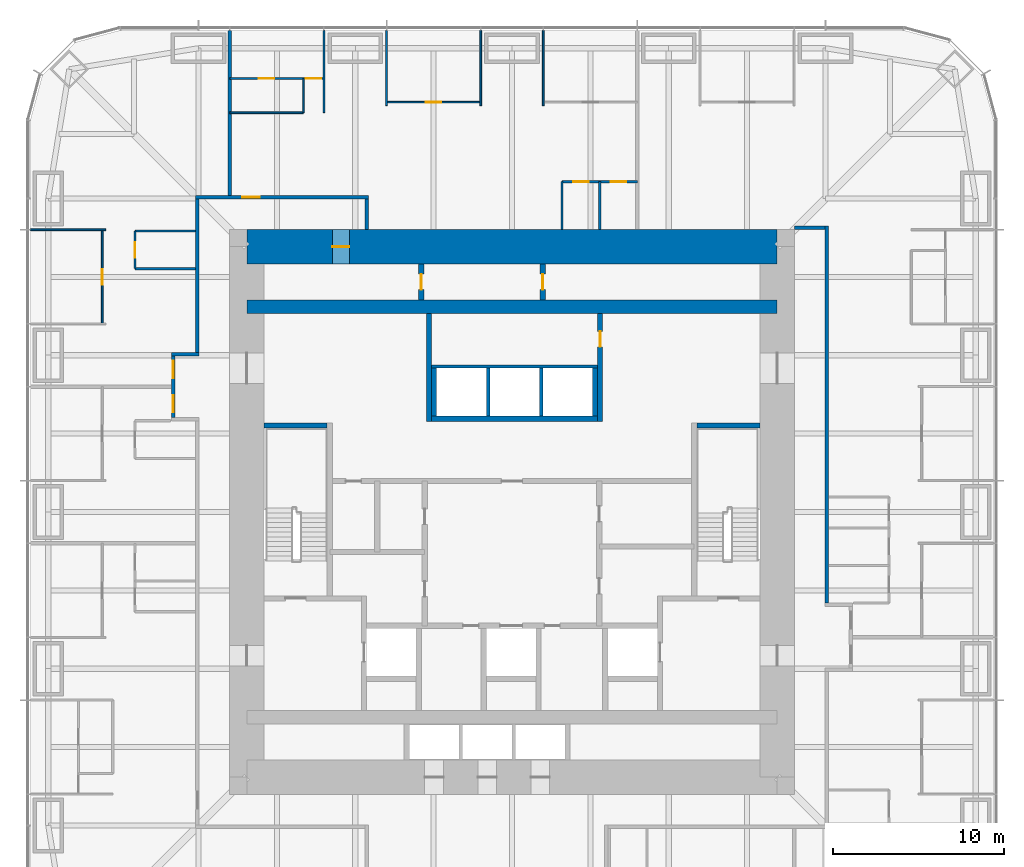
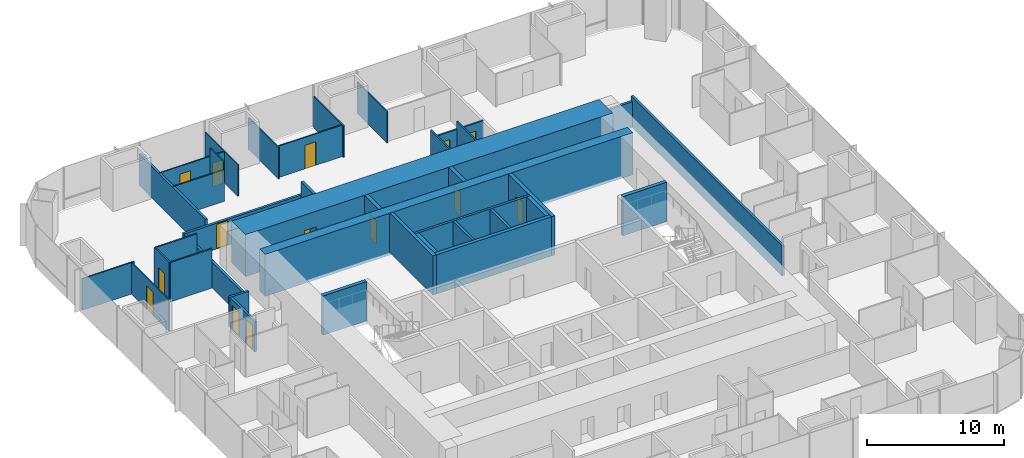
# One storey, part 10 of 12: 38 walls, 14 doors, 14 openings.
"""IFC4 building model written with IfcOpenShell, lengths in metres."""

from ifc_helpers import new_model, si_unit, direction, frame, frame_2d, origin, place, context, subcontext, project, spatial, rectangle, extrude, material, layer, layer_set, type_object, element, fill, save


model = new_model("IFC4")

# Units and contexts
model_context = context("Model", 3, precision=1e-05, world=origin(), true_north=direction((0.0, 1.0)))
body_context = subcontext(model_context, "Body", "Model", "MODEL_VIEW")
ifc_project = project(units=[si_unit("LENGTHUNIT", "METRE"), si_unit("AREAUNIT", "SQUARE_METRE"), si_unit("VOLUMEUNIT", "CUBIC_METRE"), si_unit("PLANEANGLEUNIT", "RADIAN"), si_unit("MASSUNIT", "GRAM", prefix="KILO")], contexts=[model_context])

# Site, building, storey
site_placement = place(None, origin())
site = spatial("IfcSite", under=ifc_project, at=site_placement, CompositionType="ELEMENT")
building_placement = place(site_placement, origin())
building = spatial("IfcBuilding", under=site, at=building_placement, Name="Khuree Lantern Residences", CompositionType="ELEMENT")
storey_placement = place(building_placement, frame((0.0, 0.0, 178.5)))
storey = spatial("IfcBuildingStorey", under=building, at=storey_placement, Name="L45", CompositionType="ELEMENT", Elevation=178.5)

# Wall, openings, doors
ifc_material_1 = material(Name="Moisture-resistant gypsum board on steel studs", Category="steel")
ifc_layer_1 = layer(ifc_material_1, 0.125)
ifc_layer_set_1 = layer_set([ifc_layer_1], Name="BATHROOM WALL BTW125")
wall_type_1 = type_object("IfcWallType", Name="BATHROOM WALL BTW125", PredefinedType="PARTITIONING", material=ifc_layer_set_1)
wall_1_placement = place(storey_placement, frame((7.327880859375, 19.300048828125, 0.0), z_axis=(0.0, 0.0, 1.0), x_axis=(-1.0, 0.0, 0.0)))
wall_1 = element("IfcWall", 1, at=wall_1_placement, inside=storey, type_object=wall_type_1, Name="L45 BATHROOM WALL 02", PredefinedType="PARTITIONING", context=body_context, shape_type="SweptSolid", body=[
    extrude(rectangle(XDim=4.39990234375, YDim=0.125, at=frame_2d((2.199951171875, 0.0))), origin(), (0.0, 0.0, 1.0), 2.81005859375),
])
opening_1_placement = place(wall_1_placement, frame((0.64990234375, 0.0, 0.0)))
opening_1 = element("IfcOpeningElement", 2, at=opening_1_placement, cuts=wall_1, Name="Opening 45-038", PredefinedType="OPENING", context=body_context, shape_type="SweptSolid", body=[
    extrude(rectangle(XDim=0.89990234375, YDim=2.10009765625, at=frame_2d((0.449951171875, 1.050048828125))), frame((0.0, 0.072509765625, 0.0), z_axis=(0.0, -1.0, 0.0), x_axis=(1.0, 0.0, 0.0)), (0.0, 0.0, 1.0), 0.14501953125),
])
opening_2_placement = place(wall_1_placement, frame((2.85009765625, 0.0, 0.0)))
opening_2 = element("IfcOpeningElement", 3, at=opening_2_placement, cuts=wall_1, Name="Opening 45-039", PredefinedType="OPENING", context=body_context, shape_type="SweptSolid", body=[
    extrude(rectangle(XDim=0.89990234375, YDim=2.10009765625, at=frame_2d((0.449951171875, 1.050048828125))), frame((0.0, 0.072509765625, 0.0), z_axis=(0.0, -1.0, 0.0), x_axis=(1.0, 0.0, 0.0)), (0.0, 0.0, 1.0), 0.14501953125),
])
ifc_material_2 = material(Name="Timber door leaf in hardwood frame", Category="wood")
door_type_1 = type_object("IfcDoorType", Name="BATHROOM DOOR 900X2100", OperationType="SINGLE_SWING_LEFT", PredefinedType="DOOR", material=ifc_material_2)
door_1_placement = place(opening_1_placement, origin())
door_1 = element("IfcDoor", 4, at=door_1_placement, inside=storey, type_object=door_type_1, Name="Bathroom door 45-038", OperationType="SINGLE_SWING_LEFT", OverallHeight=2.10009765625, OverallWidth=0.89990234375, PredefinedType="DOOR", context=body_context, shape_type="SweptSolid", body=[
    extrude(rectangle(XDim=0.89990234375, YDim=2.10009765625, at=frame_2d((0.449951171875, 1.050048828125))), frame((0.0, 0.02490234375, 0.0), z_axis=(0.0, -1.0, 0.0), x_axis=(1.0, 0.0, 0.0)), (0.0, 0.0, 1.0), 0.050048828125),
])
fill(opening_1, door_1)
door_2_placement = place(opening_2_placement, origin())
door_2 = element("IfcDoor", 5, at=door_2_placement, inside=storey, type_object=door_type_1, Name="Bathroom door 45-039", OperationType="SINGLE_SWING_LEFT", OverallHeight=2.10009765625, OverallWidth=0.89990234375, PredefinedType="DOOR", context=body_context, shape_type="SweptSolid", body=[
    extrude(rectangle(XDim=0.89990234375, YDim=2.10009765625, at=frame_2d((0.449951171875, 1.050048828125))), frame((0.0, 0.02490234375, 0.0), z_axis=(0.0, -1.0, 0.0), x_axis=(1.0, 0.0, 0.0)), (0.0, 0.0, 1.0), 0.050048828125),
])
fill(opening_2, door_2)

# Walls
for number, where, z_axis, x_axis, name in (
    (6, (5.1279296875, 16.5, 0.0), (0.0, 0.0, 1.0), (0.0, 1.0, 0.0), "L45 BATHROOM WALL 02"),
    (7, (2.927978515625, 16.5, 0.0), (0.0, 0.0, 1.0), (0.0, 1.0, 0.0), "L45 BATHROOM WALL 02"),
):
    element("IfcWall", number, at=place(storey_placement, frame(where, z_axis=z_axis, x_axis=x_axis)), inside=storey, type_object=wall_type_1, Name=name, PredefinedType="PARTITIONING", context=body_context, shape_type="SweptSolid", body=[
        extrude(rectangle(XDim=2.800048828125, YDim=0.125, at=frame_2d((1.39990234375, 0.0))), origin(), (0.0, 0.0, 1.0), 3.5),
    ])

# Wall, opening, door
wall_2_placement = place(storey_placement, frame((-22.02978515625, 16.41650390625, 0.0), z_axis=(0.0, 0.0, 1.0), x_axis=(0.0, -1.0, 0.0)))
wall_2 = element("IfcWall", 8, at=wall_2_placement, inside=storey, type_object=wall_type_1, Name="L45 BATHROOM WALL 03", PredefinedType="PARTITIONING", context=body_context, shape_type="SweptSolid", body=[
    extrude(rectangle(XDim=2.199951171875, YDim=0.125, at=frame_2d((1.10009765625, 0.0))), origin(), (0.0, 0.0, 1.0), 3.5),
])
opening_3_placement = place(wall_2_placement, frame((0.64990234375, 0.0, 0.0)))
opening_3 = element("IfcOpeningElement", 9, at=opening_3_placement, cuts=wall_2, Name="Opening 45-042", PredefinedType="OPENING", context=body_context, shape_type="SweptSolid", body=[
    extrude(rectangle(XDim=0.89990234375, YDim=2.10009765625, at=frame_2d((0.449951171875, 1.050048828125))), frame((0.0, 0.072509765625, 0.0), z_axis=(0.0, -1.0, 0.0), x_axis=(1.0, 0.0, 0.0)), (0.0, 0.0, 1.0), 0.14501953125),
])
door_3_placement = place(opening_3_placement, origin())
door_3 = element("IfcDoor", 10, at=door_3_placement, inside=storey, type_object=door_type_1, Name="Bathroom door 45-042", OperationType="SINGLE_SWING_LEFT", OverallHeight=2.10009765625, OverallWidth=0.89990234375, PredefinedType="DOOR", context=body_context, shape_type="SweptSolid", body=[
    extrude(rectangle(XDim=0.89990234375, YDim=2.10009765625, at=frame_2d((0.449951171875, 1.050048828125))), frame((0.0, 0.02490234375, 0.0), z_axis=(0.0, -1.0, 0.0), x_axis=(1.0, 0.0, 0.0)), (0.0, 0.0, 1.0), 0.050048828125),
])
fill(opening_3, door_3)

# Walls
for number, where, z_axis, x_axis, name in (
    (11, (-18.5, 16.41650390625, 0.0), (0.0, 0.0, 1.0), (-1.0, 0.0, 0.0), "L45 BATHROOM WALL 03"),
    (12, (-18.5, 14.216552734375, 0.0), (0.0, 0.0, 1.0), (-1.0, 0.0, 0.0), "L45 BATHROOM WALL 03"),
):
    element("IfcWall", number, at=place(storey_placement, frame(where, z_axis=z_axis, x_axis=x_axis)), inside=storey, type_object=wall_type_1, Name=name, PredefinedType="PARTITIONING", context=body_context, shape_type="SweptSolid", body=[
        extrude(rectangle(XDim=3.52978515625, YDim=0.125, at=frame_2d((1.764892578125, 0.0))), origin(), (0.0, 0.0, 1.0), 3.5),
    ])
ifc_material_3 = material(Name="Dense concrete blockwork", Category="masonry")
ifc_layer_2 = layer(ifc_material_3, 0.300048828125)
ifc_layer_set_2 = layer_set([ifc_layer_2], Name="CORE PARTITION WALL CPW300 EI 120")
wall_type_2 = type_object("IfcWallType", Name="CORE PARTITION WALL CPW300 EI 120", PredefinedType="PARTITIONING", material=ifc_layer_set_2)
wall_3_placement = place(storey_placement, frame((-4.699951171875, 5.449951171875, 0.0), z_axis=(0.0, 0.0, 1.0), x_axis=(1.0, 0.0, 0.0)))
element("IfcWall", 13, at=wall_3_placement, inside=storey, type_object=wall_type_2, Name="L45 CORE WALL PHS", PredefinedType="PARTITIONING", context=body_context, shape_type="SweptSolid", body=[
    extrude(rectangle(XDim=9.699951171875, YDim=0.300048828125, at=frame_2d((4.85009765625, 0.0))), origin(), (0.0, 0.0, 1.0), 3.5),
])
for number, where, z_axis, x_axis, name in (
    (14, (-4.550048828125, 5.60009765625, 0.0), (0.0, 0.0, 1.0), (0.0, 1.0, 0.0), "L45 CORE WALL PHW"),
    (15, (4.85009765625, 5.60009765625, 0.0), (0.0, 0.0, 1.0), (0.0, 1.0, 0.0), "L45 CORE WALL PHE"),
):
    element("IfcWall", number, at=place(storey_placement, frame(where, z_axis=z_axis, x_axis=x_axis)), inside=storey, type_object=wall_type_2, Name=name, PredefinedType="PARTITIONING", context=body_context, shape_type="SweptSolid", body=[
        extrude(rectangle(XDim=2.7998046875, YDim=0.300048828125, at=frame_2d((1.39990234375, 0.0))), origin(), (0.0, 0.0, 1.0), 3.5),
    ])
wall_4_placement = place(storey_placement, frame((-4.85009765625, 5.300048828125, 0.0), z_axis=(0.0, 0.0, 1.0), x_axis=(0.0, 1.0, 0.0)))
element("IfcWall", 16, at=wall_4_placement, inside=storey, type_object=wall_type_2, Name="L45 CORE WALL NW", PredefinedType="PARTITIONING", context=body_context, shape_type="SweptSolid", body=[
    extrude(rectangle(XDim=6.300048828125, YDim=0.300048828125, at=frame_2d((3.14990234375, 0.0))), origin(), (0.0, 0.0, 1.0), 3.5),
])

# Wall, opening, door
wall_5_placement = place(storey_placement, frame((5.14990234375, 5.300048828125, 0.0), z_axis=(0.0, 0.0, 1.0), x_axis=(0.0, 1.0, 0.0)))
wall_5 = element("IfcWall", 17, at=wall_5_placement, inside=storey, type_object=wall_type_2, Name="L45 CORE WALL NE", PredefinedType="PARTITIONING", context=body_context, shape_type="SweptSolid", body=[
    extrude(rectangle(XDim=6.300048828125, YDim=0.300048828125, at=frame_2d((3.14990234375, 0.0))), origin(), (0.0, 0.0, 1.0), 3.5),
])
opening_4_placement = place(wall_5_placement, frame((4.35009765625, 0.0, 0.0)))
opening_4 = element("IfcOpeningElement", 18, at=opening_4_placement, cuts=wall_5, Name="Opening 45-021", PredefinedType="OPENING", context=body_context, shape_type="SweptSolid", body=[
    extrude(rectangle(XDim=0.89990234375, YDim=2.10009765625, at=frame_2d((0.449951171875, 1.050048828125))), frame((0.0, 0.16015625, 0.0), z_axis=(0.0, -1.0, 0.0), x_axis=(1.0, 0.0, 0.0)), (0.0, 0.0, 1.0), 0.320068359375),
])
door_type_2 = type_object("IfcDoorType", Name="DOOR 900X2100", OperationType="SINGLE_SWING_LEFT", PredefinedType="DOOR", material=ifc_material_2)
door_4_placement = place(opening_4_placement, origin())
door_4 = element("IfcDoor", 19, at=door_4_placement, inside=storey, type_object=door_type_2, Name="Residents' store door 45-021", OperationType="SINGLE_SWING_LEFT", OverallHeight=2.10009765625, OverallWidth=0.89990234375, PredefinedType="DOOR", context=body_context, shape_type="SweptSolid", body=[
    extrude(rectangle(XDim=0.89990234375, YDim=2.10009765625, at=frame_2d((0.449951171875, 1.050048828125))), frame((0.0, 0.02490234375, 0.0), z_axis=(0.0, -1.0, 0.0), x_axis=(1.0, 0.0, 0.0)), (0.0, 0.0, 1.0), 0.050048828125),
])
fill(opening_4, door_4)

wall_6_placement = place(storey_placement, frame((-5.300048828125, 12.39990234375, 0.0), z_axis=(0.0, 0.0, 1.0), x_axis=(0.0, 1.0, 0.0)))
wall_6 = element("IfcWall", 20, at=wall_6_placement, inside=storey, type_object=wall_type_2, Name="L45 CORE WALL PLX", PredefinedType="PARTITIONING", context=body_context, shape_type="SweptSolid", body=[
    extrude(rectangle(XDim=2.10009765625, YDim=0.300048828125, at=frame_2d((1.050048828125, 0.0))), origin(), (0.0, 0.0, 1.0), 3.5),
])
opening_5_placement = place(wall_6_placement, frame((0.60009765625, 0.0, 0.0)))
opening_5 = element("IfcOpeningElement", 21, at=opening_5_placement, cuts=wall_6, Name="Opening 45-022", PredefinedType="OPENING", context=body_context, shape_type="SweptSolid", body=[
    extrude(rectangle(XDim=0.89990234375, YDim=2.10009765625, at=frame_2d((0.449951171875, 1.050048828125))), frame((0.0, 0.16015625, 0.0), z_axis=(0.0, -1.0, 0.0), x_axis=(1.0, 0.0, 0.0)), (0.0, 0.0, 1.0), 0.320068359375),
])
door_5_placement = place(opening_5_placement, origin())
door_5 = element("IfcDoor", 22, at=door_5_placement, inside=storey, type_object=door_type_2, Name="Housekeeping store door 45-022", OperationType="SINGLE_SWING_LEFT", OverallHeight=2.10009765625, OverallWidth=0.89990234375, PredefinedType="DOOR", context=body_context, shape_type="SweptSolid", body=[
    extrude(rectangle(XDim=0.89990234375, YDim=2.10009765625, at=frame_2d((0.449951171875, 1.050048828125))), frame((0.0, 0.02490234375, 0.0), z_axis=(0.0, -1.0, 0.0), x_axis=(1.0, 0.0, 0.0)), (0.0, 0.0, 1.0), 0.050048828125),
])
fill(opening_5, door_5)

wall_7_placement = place(storey_placement, frame((1.800048828125, 12.39990234375, 0.0), z_axis=(0.0, 0.0, 1.0), x_axis=(0.0, 1.0, 0.0)))
wall_7 = element("IfcWall", 23, at=wall_7_placement, inside=storey, type_object=wall_type_2, Name="L45 CORE WALL PLY", PredefinedType="PARTITIONING", context=body_context, shape_type="SweptSolid", body=[
    extrude(rectangle(XDim=2.10009765625, YDim=0.300048828125, at=frame_2d((1.050048828125, 0.0))), origin(), (0.0, 0.0, 1.0), 3.5),
])
opening_6_placement = place(wall_7_placement, frame((0.60009765625, 0.0, 0.0)))
opening_6 = element("IfcOpeningElement", 24, at=opening_6_placement, cuts=wall_7, Name="Opening 45-023", PredefinedType="OPENING", context=body_context, shape_type="SweptSolid", body=[
    extrude(rectangle(XDim=0.89990234375, YDim=2.10009765625, at=frame_2d((0.449951171875, 1.050048828125))), frame((0.0, 0.16015625, 0.0), z_axis=(0.0, -1.0, 0.0), x_axis=(1.0, 0.0, 0.0)), (0.0, 0.0, 1.0), 0.320068359375),
])
door_6_placement = place(opening_6_placement, origin())
door_6 = element("IfcDoor", 25, at=door_6_placement, inside=storey, type_object=door_type_2, Name="Store door 45-023", OperationType="SINGLE_SWING_LEFT", OverallHeight=2.10009765625, OverallWidth=0.89990234375, PredefinedType="DOOR", context=body_context, shape_type="SweptSolid", body=[
    extrude(rectangle(XDim=0.89990234375, YDim=2.10009765625, at=frame_2d((0.449951171875, 1.050048828125))), frame((0.0, 0.02490234375, 0.0), z_axis=(0.0, -1.0, 0.0), x_axis=(1.0, 0.0, 0.0)), (0.0, 0.0, 1.0), 0.050048828125),
])
fill(opening_6, door_6)

# Wall
ifc_material_4 = material(Name="Gypsum board on steel studs", Category="steel")
ifc_layer_3 = layer(ifc_material_4, 0.199951171875)
ifc_layer_set_3 = layer_set([ifc_layer_3], Name="CORRIDOR WALL CRW200 EI 60")
wall_type_3 = type_object("IfcWallType", Name="CORRIDOR WALL CRW200 EI 60", PredefinedType="PARTITIONING", material=ifc_layer_set_3)
wall_8_placement = place(storey_placement, frame((16.5, 16.60009765625, 0.0), z_axis=(0.0, 0.0, 1.0), x_axis=(1.0, 0.0, 0.0)))
element("IfcWall", 26, at=wall_8_placement, inside=storey, type_object=wall_type_3, Name="L45 EAST CORRIDOR NORTH END WALL", PredefinedType="PARTITIONING", context=body_context, shape_type="SweptSolid", body=[
    extrude(rectangle(XDim=1.800048828125, YDim=0.199951171875, at=frame_2d((0.89990234375, 0.0))), origin(), (0.0, 0.0, 1.0), 2.300048828125),
])

# Wall, opening, door
wall_9_placement = place(storey_placement, frame((-18.5, 18.39990234375, 0.0), z_axis=(0.0, 0.0, 1.0), x_axis=(1.0, 0.0, 0.0)))
wall_9 = element("IfcWall", 27, at=wall_9_placement, inside=storey, type_object=wall_type_3, Name="L45 CORRIDOR WALL NORTH", PredefinedType="PARTITIONING", context=body_context, shape_type="SweptSolid", body=[
    extrude(rectangle(XDim=10.10009765625, YDim=0.199951171875, at=frame_2d((5.050048828125, 0.0))), origin(), (0.0, 0.0, 1.0), 2.300048828125),
])
opening_7_placement = place(wall_9_placement, frame((2.75, 0.0, 0.0)))
opening_7 = element("IfcOpeningElement", 28, at=opening_7_placement, cuts=wall_9, Name="Opening 45-040", PredefinedType="OPENING", context=body_context, shape_type="SweptSolid", body=[
    extrude(rectangle(XDim=1.0, YDim=2.199951171875, at=frame_2d((0.5, 1.10009765625))), frame((0.0, 0.10986328125, 0.0), z_axis=(0.0, -1.0, 0.0), x_axis=(1.0, 0.0, 0.0)), (0.0, 0.0, 1.0), 0.219970703125),
])
door_type_3 = type_object("IfcDoorType", Name="APARTMENT ENTRANCE DOOR 1000X2200 EI 30S", OperationType="SINGLE_SWING_LEFT", PredefinedType="DOOR", material=ifc_material_2)
door_7_placement = place(opening_7_placement, origin())
door_7 = element("IfcDoor", 29, at=door_7_placement, inside=storey, type_object=door_type_3, Name="Apartment 02 entrance door 45-040", OperationType="SINGLE_SWING_LEFT", OverallHeight=2.199951171875, OverallWidth=1.0, PredefinedType="DOOR", context=body_context, shape_type="SweptSolid", body=[
    extrude(rectangle(XDim=1.0, YDim=2.199951171875, at=frame_2d((0.5, 1.10009765625))), frame((0.0, 0.02490234375, 0.0), z_axis=(0.0, -1.0, 0.0), x_axis=(1.0, 0.0, 0.0)), (0.0, 0.0, 1.0), 0.050048828125),
])
fill(opening_7, door_7)

# Walls
wall_10_placement = place(storey_placement, frame((-8.5, 18.300048828125, 0.0), z_axis=(0.0, 0.0, 1.0), x_axis=(0.0, -1.0, 0.0)))
element("IfcWall", 30, at=wall_10_placement, inside=storey, type_object=wall_type_3, Name="L45 NORTH CORRIDOR END WALL", PredefinedType="PARTITIONING", context=body_context, shape_type="SweptSolid", body=[
    extrude(rectangle(XDim=1.800048828125, YDim=0.199951171875, at=frame_2d((0.89990234375, 0.0))), origin(), (0.0, 0.0, 1.0), 3.5),
])
wall_11_placement = place(storey_placement, frame((18.39990234375, -5.327880859375, 0.0), z_axis=(0.0, 0.0, 1.0), x_axis=(0.0, 1.0, 0.0)))
element("IfcWall", 31, at=wall_11_placement, inside=storey, type_object=wall_type_3, Name="L45 CORRIDOR WALL EAST 2", PredefinedType="PARTITIONING", context=body_context, shape_type="SweptSolid", body=[
    extrude(rectangle(XDim=22.02783203125, YDim=0.199951171875, at=frame_2d((11.013916015625, 0.0))), origin(), (0.0, 0.0, 1.0), 2.699951171875),
])
wall_12_placement = place(storey_placement, frame((-18.39990234375, 18.300048828125, 0.0), z_axis=(0.0, 0.0, 1.0), x_axis=(0.0, -1.0, 0.0)))
element("IfcWall", 32, at=wall_12_placement, inside=storey, type_object=wall_type_3, Name="L45 CORRIDOR WALL WEST 1", PredefinedType="PARTITIONING", context=body_context, shape_type="SweptSolid", body=[
    extrude(rectangle(XDim=8.97216796875, YDim=0.199951171875, at=frame_2d((4.486083984375, 0.0))), origin(), (0.0, 0.0, 1.0), 2.300048828125),
])
wall_13_placement = place(storey_placement, frame((-18.300048828125, 9.22802734375, 0.0), z_axis=(0.0, 0.0, 1.0), x_axis=(-1.0, 0.0, 0.0)))
element("IfcWall", 33, at=wall_13_placement, inside=storey, type_object=wall_type_3, Name="L45 CORRIDOR ALCOVE WALL WEST", PredefinedType="PARTITIONING", context=body_context, shape_type="SweptSolid", body=[
    extrude(rectangle(XDim=1.599853515625, YDim=0.199951171875, at=frame_2d((0.7998046875, 0.0))), origin(), (0.0, 0.0, 1.0), 2.699951171875),
])

# Wall, openings, doors
wall_14_placement = place(storey_placement, frame((-19.800048828125, 9.1279296875, 0.0), z_axis=(0.0, 0.0, 1.0), x_axis=(0.0, -1.0, 0.0)))
wall_14 = element("IfcWall", 34, at=wall_14_placement, inside=storey, type_object=wall_type_3, Name="L45 CORRIDOR ALCOVE WALL WEST", PredefinedType="PARTITIONING", context=body_context, shape_type="SweptSolid", body=[
    extrude(rectangle(XDim=3.599853515625, YDim=0.199951171875, at=frame_2d((1.7998046875, 0.0))), origin(), (0.0, 0.0, 1.0), 2.699951171875),
])
opening_8_placement = place(wall_14_placement, frame((0.300048828125, 0.0, 0.0)))
opening_8 = element("IfcOpeningElement", 35, at=opening_8_placement, cuts=wall_14, Name="Opening 45-043", PredefinedType="OPENING", context=body_context, shape_type="SweptSolid", body=[
    extrude(rectangle(XDim=1.0, YDim=2.199951171875, at=frame_2d((0.5, 1.10009765625))), frame((0.0, 0.10986328125, 0.0), z_axis=(0.0, -1.0, 0.0), x_axis=(1.0, 0.0, 0.0)), (0.0, 0.0, 1.0), 0.219970703125),
])
opening_9_placement = place(wall_14_placement, frame((2.300048828125, 0.0, 0.0)))
opening_9 = element("IfcOpeningElement", 36, at=opening_9_placement, cuts=wall_14, Name="Opening 45-046", PredefinedType="OPENING", context=body_context, shape_type="SweptSolid", body=[
    extrude(rectangle(XDim=1.0, YDim=2.199951171875, at=frame_2d((0.5, 1.10009765625))), frame((0.0, 0.10986328125, 0.0), z_axis=(0.0, -1.0, 0.0), x_axis=(1.0, 0.0, 0.0)), (0.0, 0.0, 1.0), 0.219970703125),
])
door_8_placement = place(opening_8_placement, origin())
door_8 = element("IfcDoor", 37, at=door_8_placement, inside=storey, type_object=door_type_3, Name="Apartment 03 entrance door 45-043", OperationType="SINGLE_SWING_LEFT", OverallHeight=2.199951171875, OverallWidth=1.0, PredefinedType="DOOR", context=body_context, shape_type="SweptSolid", body=[
    extrude(rectangle(XDim=1.0, YDim=2.199951171875, at=frame_2d((0.5, 1.10009765625))), frame((0.0, 0.02490234375, 0.0), z_axis=(0.0, -1.0, 0.0), x_axis=(1.0, 0.0, 0.0)), (0.0, 0.0, 1.0), 0.050048828125),
])
fill(opening_8, door_8)
door_type_4 = type_object("IfcDoorType", Name="APARTMENT ENTRANCE DOOR 1000X2200 EI 30S RIGHT HAND", OperationType="SINGLE_SWING_RIGHT", PredefinedType="DOOR", material=ifc_material_2)
door_9_placement = place(opening_9_placement, origin())
door_9 = element("IfcDoor", 38, at=door_9_placement, inside=storey, type_object=door_type_4, Name="Apartment 04 entrance door 45-046", OperationType="SINGLE_SWING_RIGHT", OverallHeight=2.199951171875, OverallWidth=1.0, PredefinedType="DOOR", context=body_context, shape_type="SweptSolid", body=[
    extrude(rectangle(XDim=1.0, YDim=2.199951171875, at=frame_2d((0.5, 1.10009765625))), frame((0.0, 0.02490234375, 0.0), z_axis=(0.0, -1.0, 0.0), x_axis=(1.0, 0.0, 0.0)), (0.0, 0.0, 1.0), 0.050048828125),
])
fill(opening_9, door_9)

# Wall, opening, door
ifc_material_5 = material(Name="Concrete C70/85", Category="concrete")
ifc_layer_4 = layer(ifc_material_5, 2.0)
ifc_layer_set_4 = layer_set([ifc_layer_4], Name="CW2000-C70 CORE WALL C70 2000")
wall_type_4 = type_object("IfcWallType", Name="CW2000-C70 CORE WALL C70 2000", PredefinedType="SHEAR", material=ifc_layer_set_4)
wall_15_placement = place(storey_placement, frame((-15.5, 15.5, -0.25), z_axis=(0.0, 0.0, 1.0), x_axis=(1.0, 0.0, 0.0)))
wall_15 = element("IfcWall", 39, at=wall_15_placement, inside=storey, type_object=wall_type_4, Name="Core wall N", PredefinedType="SHEAR", context=body_context, shape_type="SweptSolid", body=[
    extrude(rectangle(XDim=31.0, YDim=2.0, at=frame_2d((15.5, 0.0))), origin(), (0.0, 0.0, 1.0), 3.75),
])
opening_10_placement = place(wall_15_placement, frame((5.0, 0.0, 0.25)))
opening_10 = element("IfcOpeningElement", 40, at=opening_10_placement, cuts=wall_15, Name="Opening 45-024", PredefinedType="OPENING", context=body_context, shape_type="SweptSolid", body=[
    extrude(rectangle(XDim=1.0, YDim=2.10009765625, at=frame_2d((0.5, 1.050048828125))), frame((0.0, 1.010009765625, 0.0), z_axis=(0.0, -1.0, 0.0), x_axis=(1.0, 0.0, 0.0)), (0.0, 0.0, 1.0), 2.02001953125),
])
ifc_material_6 = material(Name="Steel door leaf in steel frame", Category="steel")
door_type_5 = type_object("IfcDoorType", Name="DOOR 1000X2100 EI 60 RIGHT HAND", OperationType="SINGLE_SWING_RIGHT", PredefinedType="DOOR", material=ifc_material_6)
door_10_placement = place(opening_10_placement, origin())
door_10 = element("IfcDoor", 41, at=door_10_placement, inside=storey, type_object=door_type_5, Name="Residents' store door 45-024", OperationType="SINGLE_SWING_RIGHT", OverallHeight=2.10009765625, OverallWidth=1.0, PredefinedType="DOOR", context=body_context, shape_type="SweptSolid", body=[
    extrude(rectangle(XDim=1.0, YDim=2.10009765625, at=frame_2d((0.5, 1.050048828125))), frame((0.0, 0.02490234375, 0.0), z_axis=(0.0, -1.0, 0.0), x_axis=(1.0, 0.0, 0.0)), (0.0, 0.0, 1.0), 0.050048828125),
])
fill(opening_10, door_10)

# Walls
ifc_layer_5 = layer(ifc_material_4, 0.199951171875)
ifc_layer_set_5 = layer_set([ifc_layer_5], Name="DEMISING WALL DMW200 EI 90")
wall_type_5 = type_object("IfcWallType", Name="DEMISING WALL DMW200 EI 90", PredefinedType="PARTITIONING", material=ifc_layer_set_5)
wall_16_placement = place(storey_placement, frame((-16.488037109375, 18.5, 0.0), z_axis=(0.0, 0.0, 1.0), x_axis=(0.0, 1.0, 0.0)))
element("IfcWall", 42, at=wall_16_placement, inside=storey, type_object=wall_type_5, Name="L45 DEMISING WALL 03", PredefinedType="PARTITIONING", context=body_context, shape_type="SweptSolid", body=[
    extrude(rectangle(XDim=9.64990234375, YDim=0.199951171875, at=frame_2d((4.824951171875, 0.0))), origin(), (0.0, 0.0, 1.0), 2.81005859375),
])
ifc_layer_6 = layer(ifc_material_4, 0.10009765625)
ifc_layer_set_6 = layer_set([ifc_layer_6], Name="PARTITION PT100")
wall_type_6 = type_object("IfcWallType", Name="PARTITION PT100", PredefinedType="PARTITIONING", material=ifc_layer_set_6)
for number, where, z_axis, x_axis, name in (
    (43, (1.83203125, 23.75, 0.0), (0.0, 0.0, 1.0), (0.0, 1.0, 0.0), "L45 PARTITION 02"),
    (44, (-1.83203125, 23.75, 0.0), (0.0, 0.0, 1.0), (0.0, 1.0, 0.0), "L45 PARTITION 02"),
    (45, (-7.327880859375, 23.75, 0.0), (0.0, 0.0, 1.0), (0.0, 1.0, 0.0), "L45 PARTITION 02"),
):
    element("IfcWall", number, at=place(storey_placement, frame(where, z_axis=z_axis, x_axis=x_axis)), inside=storey, type_object=wall_type_6, Name=name, PredefinedType="PARTITIONING", context=body_context, shape_type="SweptSolid", body=[
        extrude(rectangle(XDim=4.39990234375, YDim=0.10009765625, at=frame_2d((2.199951171875, 0.0))), origin(), (0.0, 0.0, 1.0), 2.81005859375),
    ])
wall_17_placement = place(storey_placement, frame((-10.991943359375, 23.329833984375, 0.0), z_axis=(0.0, 0.0, 1.0), x_axis=(0.0, 1.0, 0.0)))
element("IfcWall", 46, at=wall_17_placement, inside=storey, type_object=wall_type_6, Name="L45 PARTITION 02", PredefinedType="PARTITIONING", context=body_context, shape_type="SweptSolid", body=[
    extrude(rectangle(XDim=4.820068359375, YDim=0.10009765625, at=frame_2d((2.41015625, 0.0))), origin(), (0.0, 0.0, 1.0), 2.81005859375),
])
wall_18_placement = place(storey_placement, frame((-23.75, 16.488037109375, 0.0), z_axis=(0.0, 0.0, 1.0), x_axis=(-1.0, 0.0, 0.0)))
element("IfcWall", 47, at=wall_18_placement, inside=storey, type_object=wall_type_6, Name="L45 PARTITION 03", PredefinedType="PARTITIONING", context=body_context, shape_type="SweptSolid", body=[
    extrude(rectangle(XDim=4.39990234375, YDim=0.10009765625, at=frame_2d((2.199951171875, 0.0))), origin(), (0.0, 0.0, 1.0), 2.81005859375),
])

# Wall, opening, door
wall_19_placement = place(storey_placement, frame((-1.83203125, 23.949951171875, 0.0), z_axis=(0.0, 0.0, 1.0), x_axis=(-1.0, 0.0, 0.0)))
wall_19 = element("IfcWall", 48, at=wall_19_placement, inside=storey, type_object=wall_type_6, Name="L45 PARTITION 02", PredefinedType="PARTITIONING", context=body_context, shape_type="SweptSolid", body=[
    extrude(rectangle(XDim=5.495849609375, YDim=0.10009765625, at=frame_2d((2.748046875, 0.0))), origin(), (0.0, 0.0, 1.0), 2.81005859375),
])
opening_11_placement = place(wall_19_placement, frame((2.298095703125, 0.0, 0.0)))
opening_11 = element("IfcOpeningElement", 49, at=opening_11_placement, cuts=wall_19, Name="Opening 45-035", PredefinedType="OPENING", context=body_context, shape_type="SweptSolid", body=[
    extrude(rectangle(XDim=0.89990234375, YDim=2.10009765625, at=frame_2d((0.449951171875, 1.050048828125))), frame((0.0, 0.06005859375, 0.0), z_axis=(0.0, -1.0, 0.0), x_axis=(1.0, 0.0, 0.0)), (0.0, 0.0, 1.0), 0.1201171875),
])
door_type_6 = type_object("IfcDoorType", Name="BEDROOM DOOR 900X2100", OperationType="SINGLE_SWING_LEFT", PredefinedType="DOOR", material=ifc_material_2)
door_11_placement = place(opening_11_placement, origin())
door_11 = element("IfcDoor", 50, at=door_11_placement, inside=storey, type_object=door_type_6, Name="Bedroom door 45-035", OperationType="SINGLE_SWING_LEFT", OverallHeight=2.10009765625, OverallWidth=0.89990234375, PredefinedType="DOOR", context=body_context, shape_type="SweptSolid", body=[
    extrude(rectangle(XDim=0.89990234375, YDim=2.10009765625, at=frame_2d((0.449951171875, 1.050048828125))), frame((0.0, 0.02490234375, 0.0), z_axis=(0.0, -1.0, 0.0), x_axis=(1.0, 0.0, 0.0)), (0.0, 0.0, 1.0), 0.050048828125),
])
fill(opening_11, door_11)

# Wall, openings, doors
wall_20_placement = place(storey_placement, frame((-10.991943359375, 25.329833984375, 0.0), z_axis=(0.0, 0.0, 1.0), x_axis=(-1.0, 0.0, 0.0)))
wall_20 = element("IfcWall", 51, at=wall_20_placement, inside=storey, type_object=wall_type_6, Name="L45 PARTITION 02", PredefinedType="PARTITIONING", context=body_context, shape_type="SweptSolid", body=[
    extrude(rectangle(XDim=5.49609375, YDim=0.10009765625, at=frame_2d((2.748046875, 0.0))), origin(), (0.0, 0.0, 1.0), 2.81005859375),
])
opening_12_placement = place(wall_20_placement, frame((0.14990234375, 0.0, 0.0)))
opening_12 = element("IfcOpeningElement", 52, at=opening_12_placement, cuts=wall_20, Name="Opening 45-036", PredefinedType="OPENING", context=body_context, shape_type="SweptSolid", body=[
    extrude(rectangle(XDim=0.89990234375, YDim=2.10009765625, at=frame_2d((0.449951171875, 1.050048828125))), frame((0.0, 0.06005859375, 0.0), z_axis=(0.0, -1.0, 0.0), x_axis=(1.0, 0.0, 0.0)), (0.0, 0.0, 1.0), 0.1201171875),
])
opening_13_placement = place(wall_20_placement, frame((2.89794921875, 0.0, 0.0)))
opening_13 = element("IfcOpeningElement", 53, at=opening_13_placement, cuts=wall_20, Name="Opening 45-037", PredefinedType="OPENING", context=body_context, shape_type="SweptSolid", body=[
    extrude(rectangle(XDim=0.89990234375, YDim=2.10009765625, at=frame_2d((0.449951171875, 1.050048828125))), frame((0.0, 0.06005859375, 0.0), z_axis=(0.0, -1.0, 0.0), x_axis=(1.0, 0.0, 0.0)), (0.0, 0.0, 1.0), 0.1201171875),
])
door_12_placement = place(opening_12_placement, origin())
door_12 = element("IfcDoor", 54, at=door_12_placement, inside=storey, type_object=door_type_6, Name="Bedroom door 45-036", OperationType="SINGLE_SWING_LEFT", OverallHeight=2.10009765625, OverallWidth=0.89990234375, PredefinedType="DOOR", context=body_context, shape_type="SweptSolid", body=[
    extrude(rectangle(XDim=0.89990234375, YDim=2.10009765625, at=frame_2d((0.449951171875, 1.050048828125))), frame((0.0, 0.02490234375, 0.0), z_axis=(0.0, -1.0, 0.0), x_axis=(1.0, 0.0, 0.0)), (0.0, 0.0, 1.0), 0.050048828125),
])
fill(opening_12, door_12)
door_type_7 = type_object("IfcDoorType", Name="DOOR 900X2100 RIGHT HAND", OperationType="SINGLE_SWING_RIGHT", PredefinedType="DOOR", material=ifc_material_2)
door_13_placement = place(opening_13_placement, origin())
door_13 = element("IfcDoor", 55, at=door_13_placement, inside=storey, type_object=door_type_7, Name="Wardrobe door 45-037", OperationType="SINGLE_SWING_RIGHT", OverallHeight=2.10009765625, OverallWidth=0.89990234375, PredefinedType="DOOR", context=body_context, shape_type="SweptSolid", body=[
    extrude(rectangle(XDim=0.89990234375, YDim=2.10009765625, at=frame_2d((0.449951171875, 1.050048828125))), frame((0.0, 0.02490234375, 0.0), z_axis=(0.0, -1.0, 0.0), x_axis=(1.0, 0.0, 0.0)), (0.0, 0.0, 1.0), 0.050048828125),
])
fill(opening_13, door_13)

# Walls
wall_21_placement = place(storey_placement, frame((-12.19189453125, 23.329833984375, 0.0), z_axis=(0.0, 0.0, 1.0), x_axis=(0.0, 1.0, 0.0)))
element("IfcWall", 56, at=wall_21_placement, inside=storey, type_object=wall_type_6, Name="L45 PARTITION 02", PredefinedType="PARTITIONING", context=body_context, shape_type="SweptSolid", body=[
    extrude(rectangle(XDim=2.0, YDim=0.10009765625, at=frame_2d((1.0, 0.0))), origin(), (0.0, 0.0, 1.0), 3.5),
])
wall_22_placement = place(storey_placement, frame((-12.19189453125, 23.329833984375, 0.0), z_axis=(0.0, 0.0, 1.0), x_axis=(-1.0, 0.0, 0.0)))
element("IfcWall", 57, at=wall_22_placement, inside=storey, type_object=wall_type_6, Name="L45 PARTITION 02", PredefinedType="PARTITIONING", context=body_context, shape_type="SweptSolid", body=[
    extrude(rectangle(XDim=4.296142578125, YDim=0.10009765625, at=frame_2d((2.14794921875, 0.0))), origin(), (0.0, 0.0, 1.0), 2.81005859375),
])

# Wall, opening, door
wall_23_placement = place(storey_placement, frame((-23.949951171875, 16.488037109375, 0.0), z_axis=(0.0, 0.0, 1.0), x_axis=(0.0, -1.0, 0.0)))
wall_23 = element("IfcWall", 58, at=wall_23_placement, inside=storey, type_object=wall_type_6, Name="L45 PARTITION 03", PredefinedType="PARTITIONING", context=body_context, shape_type="SweptSolid", body=[
    extrude(rectangle(XDim=5.49609375, YDim=0.10009765625, at=frame_2d((2.748046875, 0.0))), origin(), (0.0, 0.0, 1.0), 2.81005859375),
])
opening_14_placement = place(wall_23_placement, frame((2.298095703125, 0.0, 0.0)))
opening_14 = element("IfcOpeningElement", 59, at=opening_14_placement, cuts=wall_23, Name="Opening 45-041", PredefinedType="OPENING", context=body_context, shape_type="SweptSolid", body=[
    extrude(rectangle(XDim=0.89990234375, YDim=2.10009765625, at=frame_2d((0.449951171875, 1.050048828125))), frame((0.0, 0.06005859375, 0.0), z_axis=(0.0, -1.0, 0.0), x_axis=(1.0, 0.0, 0.0)), (0.0, 0.0, 1.0), 0.1201171875),
])
door_14_placement = place(opening_14_placement, origin())
door_14 = element("IfcDoor", 60, at=door_14_placement, inside=storey, type_object=door_type_6, Name="Bedroom door 45-041", OperationType="SINGLE_SWING_LEFT", OverallHeight=2.10009765625, OverallWidth=0.89990234375, PredefinedType="DOOR", context=body_context, shape_type="SweptSolid", body=[
    extrude(rectangle(XDim=0.89990234375, YDim=2.10009765625, at=frame_2d((0.449951171875, 1.050048828125))), frame((0.0, 0.02490234375, 0.0), z_axis=(0.0, -1.0, 0.0), x_axis=(1.0, 0.0, 0.0)), (0.0, 0.0, 1.0), 0.050048828125),
])
fill(opening_14, door_14)

# Walls
ifc_layer_7 = layer(ifc_material_3, 0.199951171875)
ifc_layer_set_7 = layer_set([ifc_layer_7], Name="SHAFT WALL SHW200 EI 120")
wall_type_7 = type_object("IfcWallType", Name="SHAFT WALL SHW200 EI 120", PredefinedType="PARTITIONING", material=ifc_layer_set_7)
wall_24_placement = place(storey_placement, frame((-4.699951171875, 8.5, 0.0), z_axis=(0.0, 0.0, 1.0), x_axis=(1.0, 0.0, 0.0)))
element("IfcWall", 61, at=wall_24_placement, inside=storey, type_object=wall_type_7, Name="L45 CORE WALL PHN", PredefinedType="PARTITIONING", context=body_context, shape_type="SweptSolid", body=[
    extrude(rectangle(XDim=9.699951171875, YDim=0.199951171875, at=frame_2d((4.85009765625, 0.0))), origin(), (0.0, 0.0, 1.0), 3.5),
])
for number, where, z_axis, x_axis, name in (
    (62, (-1.39990234375, 5.60009765625, 0.0), (0.0, 0.0, 1.0), (0.0, 1.0, 0.0), "L45 CORE WALL PHD1"),
    (63, (1.699951171875, 5.60009765625, 0.0), (0.0, 0.0, 1.0), (0.0, 1.0, 0.0), "L45 CORE WALL PHD2"),
):
    element("IfcWall", number, at=place(storey_placement, frame(where, z_axis=z_axis, x_axis=x_axis)), inside=storey, type_object=wall_type_7, Name=name, PredefinedType="PARTITIONING", context=body_context, shape_type="SweptSolid", body=[
        extrude(rectangle(XDim=2.7998046875, YDim=0.199951171875, at=frame_2d((1.39990234375, 0.0))), origin(), (0.0, 0.0, 1.0), 3.5),
    ])
ifc_layer_8 = layer(ifc_material_5, 0.800048828125)
ifc_layer_set_8 = layer_set([ifc_layer_8], Name="SP800-C70 CORE SPINE WALL C70 800")
wall_type_8 = type_object("IfcWallType", Name="SP800-C70 CORE SPINE WALL C70 800", PredefinedType="SHEAR", material=ifc_layer_set_8)
wall_25_placement = place(storey_placement, frame((-15.5, 12.0, -0.25), z_axis=(0.0, 0.0, 1.0), x_axis=(1.0, 0.0, 0.0)))
element("IfcWall", 64, at=wall_25_placement, inside=storey, type_object=wall_type_8, Name="Core wall SPN", PredefinedType="SHEAR", context=body_context, shape_type="SweptSolid", body=[
    extrude(rectangle(XDim=31.0, YDim=0.800048828125, at=frame_2d((15.5, 0.0))), origin(), (0.0, 0.0, 1.0), 3.75),
])
ifc_material_7 = material(Name="Concrete C50/60", Category="concrete")
ifc_layer_9 = layer(ifc_material_7, 0.300048828125)
ifc_layer_set_9 = layer_set([ifc_layer_9], Name="STAIR WALL SRW300 C50/60 REI 240")
wall_type_9 = type_object("IfcWallType", Name="STAIR WALL SRW300 C50/60 REI 240", PredefinedType="SOLIDWALL", material=ifc_layer_set_9)
for number, where, z_axis, x_axis, name in (
    (65, (-14.5, 5.050048828125, 0.0), (0.0, 0.0, 1.0), (1.0, 0.0, 0.0), "L45 STAIR WALL ST1N"),
    (66, (14.5, 5.050048828125, 0.0), (0.0, 0.0, 1.0), (-1.0, 0.0, 0.0), "L45 STAIR WALL ST2N"),
):
    element("IfcWall", number, at=place(storey_placement, frame(where, z_axis=z_axis, x_axis=x_axis)), inside=storey, type_object=wall_type_9, Name=name, PredefinedType="SOLIDWALL", context=body_context, shape_type="SweptSolid", body=[
        extrude(rectangle(XDim=3.699951171875, YDim=0.300048828125, at=frame_2d((1.85009765625, 0.0))), origin(), (0.0, 0.0, 1.0), 3.5),
    ])

save(model, "model.ifc")
